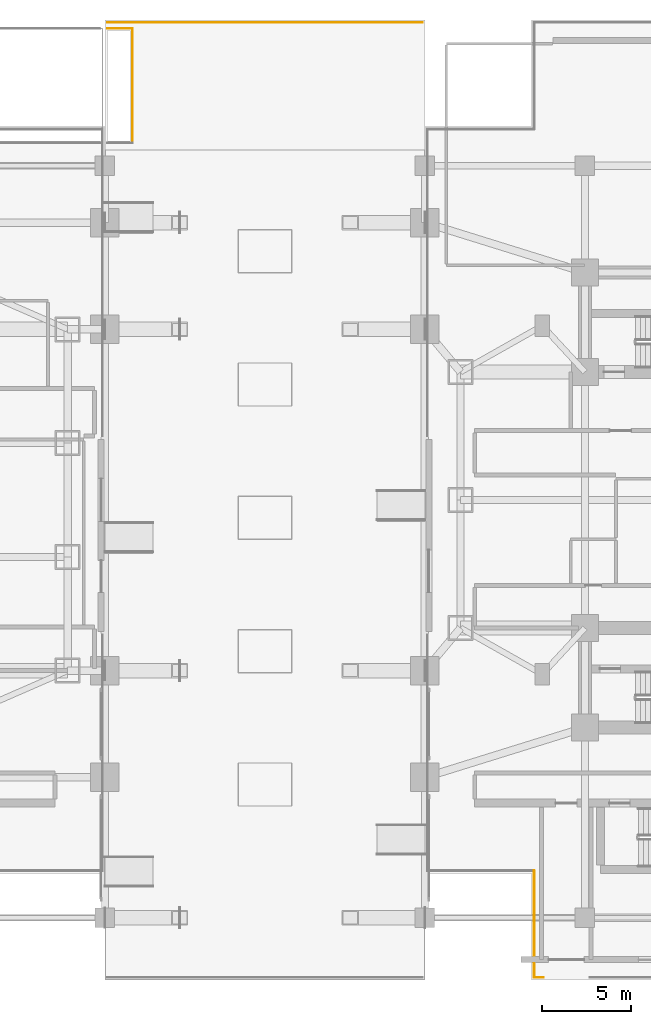
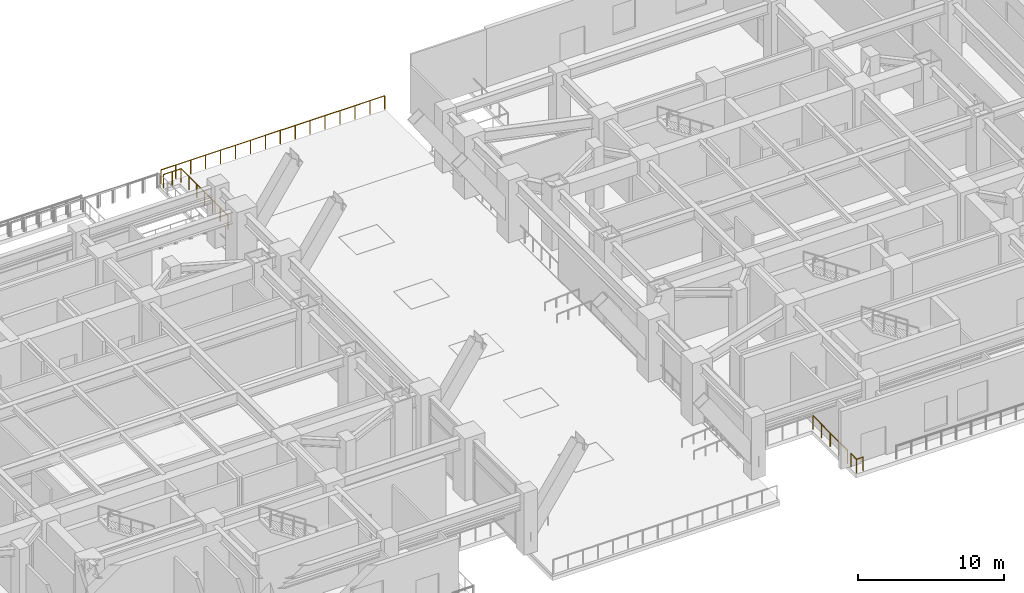
# One storey, part 22 of 27: 6 railings.
"""IFC4 building model written with IfcOpenShell, lengths in metres."""

from ifc_helpers import new_model, si_unit, direction, frame, origin, origin_2d, place, context, subcontext, project, spatial, circle, extrude, material, type_object, element, save


model = new_model("IFC4")

# Units and contexts
model_context = context("Model", 3, precision=1e-05, world=origin(), true_north=direction((0.0, 1.0)))
body_context = subcontext(model_context, "Body", "Model", "MODEL_VIEW")
ifc_project = project(units=[si_unit("LENGTHUNIT", "METRE"), si_unit("AREAUNIT", "SQUARE_METRE"), si_unit("VOLUMEUNIT", "CUBIC_METRE"), si_unit("PLANEANGLEUNIT", "RADIAN"), si_unit("MASSUNIT", "GRAM", prefix="KILO")], contexts=[model_context])

# Site, building, storey
site_placement = place(None, origin())
site = spatial("IfcSite", under=ifc_project, at=site_placement, CompositionType="ELEMENT")
building_placement = place(site_placement, origin())
building = spatial("IfcBuilding", under=site, at=building_placement, Name="Mirazonda Arch Towers", CompositionType="ELEMENT")
storey_placement = place(building_placement, origin())
storey = spatial("IfcBuildingStorey", under=building, at=storey_placement, Name="L00", CompositionType="ELEMENT", Elevation=0.0)

# Railings
ifc_material = material(Name="Architectural Brushed Steel S355", Category="steel")
railing_type = type_object("IfcRailingType", Name="GUARD-EXT-1150", PredefinedType="GUARDRAIL", material=ifc_material)
railing_1_placement = place(storey_placement, frame((42.550048828125, 48.080078125, -0.179931640625)))
element("IfcRailing", 1, at=railing_1_placement, inside=storey, type_object=railing_type, Name="L00 Vehicle Ramp Arch Slot Guard 02", PredefinedType="GUARDRAIL", context=body_context, shape_type="SweptSolid", body=[
    extrude(circle(Radius=0.02392578125, at=origin_2d()), frame((0.0, 0.0, 1.1259765625), z_axis=(0.0, 1.0, 0.0), x_axis=(-1.0, 0.0, 0.0)), (0.0, 0.0, 1.0), 6.43994140625),
    extrude(circle(Radius=0.02099609375, at=origin_2d()), origin(), (0.0, 0.0, 1.0), 1.101806640625),
    extrude(circle(Radius=0.02099609375, at=origin_2d()), frame((0.0, 1.0732421875, 0.0)), (0.0, 0.0, 1.0), 1.101806640625),
    extrude(circle(Radius=0.02099609375, at=origin_2d()), frame((0.0, 2.146728515625, 0.0)), (0.0, 0.0, 1.0), 1.101806640625),
    extrude(circle(Radius=0.02099609375, at=origin_2d()), frame((0.0, 3.219970703125, 0.0)), (0.0, 0.0, 1.0), 1.101806640625),
    extrude(circle(Radius=0.02099609375, at=origin_2d()), frame((0.0, 4.293212890625, 0.0)), (0.0, 0.0, 1.0), 1.101806640625),
    extrude(circle(Radius=0.02099609375, at=origin_2d()), frame((0.0, 5.36669921875, 0.0)), (0.0, 0.0, 1.0), 1.101806640625),
    extrude(circle(Radius=0.02099609375, at=origin_2d()), frame((0.0, 6.43994140625, 0.0)), (0.0, 0.0, 1.0), 1.101806640625),
])
railing_2_placement = place(storey_placement, frame((42.550048828125, 54.52001953125, -0.179931640625)))
element("IfcRailing", 2, at=railing_2_placement, inside=storey, type_object=railing_type, Name="L00 Vehicle Ramp Arch Slot Guard 03", PredefinedType="GUARDRAIL", context=body_context, shape_type="SweptSolid", body=[
    extrude(circle(Radius=0.02392578125, at=origin_2d()), frame((0.0, 0.0, 1.1259765625), z_axis=(-1.0, 0.0, 0.0), x_axis=(0.0, -1.0, 0.0)), (0.0, 0.0, 1.0), 1.400146484375),
    extrude(circle(Radius=0.02099609375, at=origin_2d()), origin(), (0.0, 0.0, 1.0), 1.101806640625),
    extrude(circle(Radius=0.02099609375, at=origin_2d()), frame((-0.7001953125, 0.0, 0.0)), (0.0, 0.0, 1.0), 1.101806640625),
    extrude(circle(Radius=0.02099609375, at=origin_2d()), frame((-1.400146484375, 0.0, 0.0)), (0.0, 0.0, 1.0), 1.101806640625),
])
railing_3_placement = place(storey_placement, frame((65.139892578125, 7.139892578125, 0.0)))
element("IfcRailing", 3, at=railing_3_placement, inside=storey, type_object=railing_type, Name="L00 L00 Podium Edge Guard 6 03", PredefinedType="GUARDRAIL", context=body_context, shape_type="SweptSolid", body=[
    extrude(circle(Radius=0.02392578125, at=origin_2d()), frame((0.0, 0.0, 1.1259765625), z_axis=(0.0, -1.0, 0.0), x_axis=(1.0, 0.0, 0.0)), (0.0, 0.0, 1.0), 4.760009765625),
    extrude(circle(Radius=0.02099609375, at=origin_2d()), origin(), (0.0, 0.0, 1.0), 1.101806640625),
    extrude(circle(Radius=0.02099609375, at=origin_2d()), frame((0.0, -1.18994140625, 0.0)), (0.0, 0.0, 1.0), 1.101806640625),
    extrude(circle(Radius=0.02099609375, at=origin_2d()), frame((0.0, -2.3798828125, 0.0)), (0.0, 0.0, 1.0), 1.101806640625),
    extrude(circle(Radius=0.02099609375, at=origin_2d()), frame((0.0, -3.570068359375, 0.0)), (0.0, 0.0, 1.0), 1.101806640625),
    extrude(circle(Radius=0.02099609375, at=origin_2d()), frame((0.0, -4.760009765625, 0.0)), (0.0, 0.0, 1.0), 1.101806640625),
])
railing_4_placement = place(storey_placement, frame((65.139892578125, 1.919921875, 0.0)))
element("IfcRailing", 4, at=railing_4_placement, inside=storey, type_object=railing_type, Name="L00 L00 Podium Edge Guard 7 01", PredefinedType="GUARDRAIL", context=body_context, shape_type="SweptSolid", body=[
    extrude(circle(Radius=0.02392578125, at=origin_2d()), frame((0.0, 0.0, 1.1259765625), z_axis=(0.0, -1.0, 0.0), x_axis=(1.0, 0.0, 0.0)), (0.0, 0.0, 1.0), 0.780029296875),
    extrude(circle(Radius=0.02099609375, at=origin_2d()), origin(), (0.0, 0.0, 1.0), 1.101806640625),
    extrude(circle(Radius=0.02099609375, at=origin_2d()), frame((0.0, -0.780029296875, 0.0)), (0.0, 0.0, 1.0), 1.101806640625),
])
railing_5_placement = place(storey_placement, frame((65.139892578125, 1.139892578125, 0.0)))
element("IfcRailing", 5, at=railing_5_placement, inside=storey, type_object=railing_type, Name="L00 L00 Podium Edge Guard 7 02", PredefinedType="GUARDRAIL", context=body_context, shape_type="SweptSolid", body=[
    extrude(circle(Radius=0.02392578125, at=origin_2d()), frame((0.0, 0.0, 1.1259765625), z_axis=(1.0, 0.0, 0.0), x_axis=(0.0, 1.0, 0.0)), (0.0, 0.0, 1.0), 0.510009765625),
    extrude(circle(Radius=0.02099609375, at=origin_2d()), origin(), (0.0, 0.0, 1.0), 1.101806640625),
    extrude(circle(Radius=0.02099609375, at=origin_2d()), frame((0.510009765625, 0.0, 0.0)), (0.0, 0.0, 1.0), 1.101806640625),
])
railing_6_placement = place(storey_placement, frame((41.14990234375, 54.860107421875, 0.0)))
element("IfcRailing", 6, at=railing_6_placement, inside=storey, type_object=railing_type, Name="L00 L00 Podium Edge Guard 11 01", PredefinedType="GUARDRAIL", context=body_context, shape_type="SweptSolid", body=[
    extrude(circle(Radius=0.02392578125, at=origin_2d()), frame((0.0, 0.0, 1.1259765625), z_axis=(1.0, 0.0, 0.0), x_axis=(0.0, 1.0, 0.0)), (0.0, 0.0, 1.0), 17.7001953125),
    extrude(circle(Radius=0.02099609375, at=origin_2d()), origin(), (0.0, 0.0, 1.0), 1.101806640625),
    extrude(circle(Radius=0.02099609375, at=origin_2d()), frame((1.179931640625, 0.0, 0.0)), (0.0, 0.0, 1.0), 1.101806640625),
    extrude(circle(Radius=0.02099609375, at=origin_2d()), frame((2.360107421875, 0.0, 0.0)), (0.0, 0.0, 1.0), 1.101806640625),
    extrude(circle(Radius=0.02099609375, at=origin_2d()), frame((3.5400390625, 0.0, 0.0)), (0.0, 0.0, 1.0), 1.101806640625),
    extrude(circle(Radius=0.02099609375, at=origin_2d()), frame((4.719970703125, 0.0, 0.0)), (0.0, 0.0, 1.0), 1.101806640625),
    extrude(circle(Radius=0.02099609375, at=origin_2d()), frame((5.900146484375, 0.0, 0.0)), (0.0, 0.0, 1.0), 1.101806640625),
    extrude(circle(Radius=0.02099609375, at=origin_2d()), frame((7.080078125, 0.0, 0.0)), (0.0, 0.0, 1.0), 1.101806640625),
    extrude(circle(Radius=0.02099609375, at=origin_2d()), frame((8.260009765625, 0.0, 0.0)), (0.0, 0.0, 1.0), 1.101806640625),
    extrude(circle(Radius=0.02099609375, at=origin_2d()), frame((9.440185546875, 0.0, 0.0)), (0.0, 0.0, 1.0), 1.101806640625),
    extrude(circle(Radius=0.02099609375, at=origin_2d()), frame((10.6201171875, 0.0, 0.0)), (0.0, 0.0, 1.0), 1.101806640625),
    extrude(circle(Radius=0.02099609375, at=origin_2d()), frame((11.800048828125, 0.0, 0.0)), (0.0, 0.0, 1.0), 1.101806640625),
    extrude(circle(Radius=0.02099609375, at=origin_2d()), frame((12.980224609375, 0.0, 0.0)), (0.0, 0.0, 1.0), 1.101806640625),
    extrude(circle(Radius=0.02099609375, at=origin_2d()), frame((14.16015625, 0.0, 0.0)), (0.0, 0.0, 1.0), 1.101806640625),
    extrude(circle(Radius=0.02099609375, at=origin_2d()), frame((15.340087890625, 0.0, 0.0)), (0.0, 0.0, 1.0), 1.101806640625),
    extrude(circle(Radius=0.02099609375, at=origin_2d()), frame((16.520263671875, 0.0, 0.0)), (0.0, 0.0, 1.0), 1.101806640625),
    extrude(circle(Radius=0.02099609375, at=origin_2d()), frame((17.7001953125, 0.0, 0.0)), (0.0, 0.0, 1.0), 1.101806640625),
])

save(model, "model.ifc")
